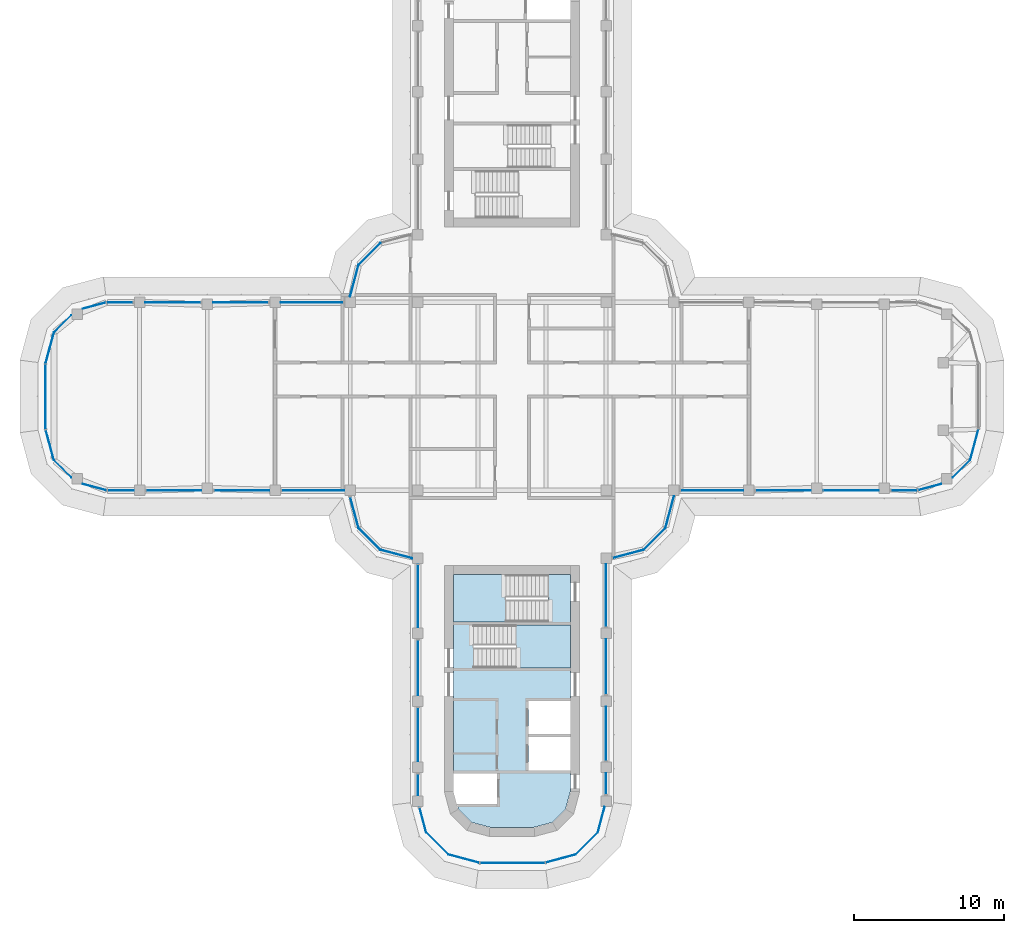
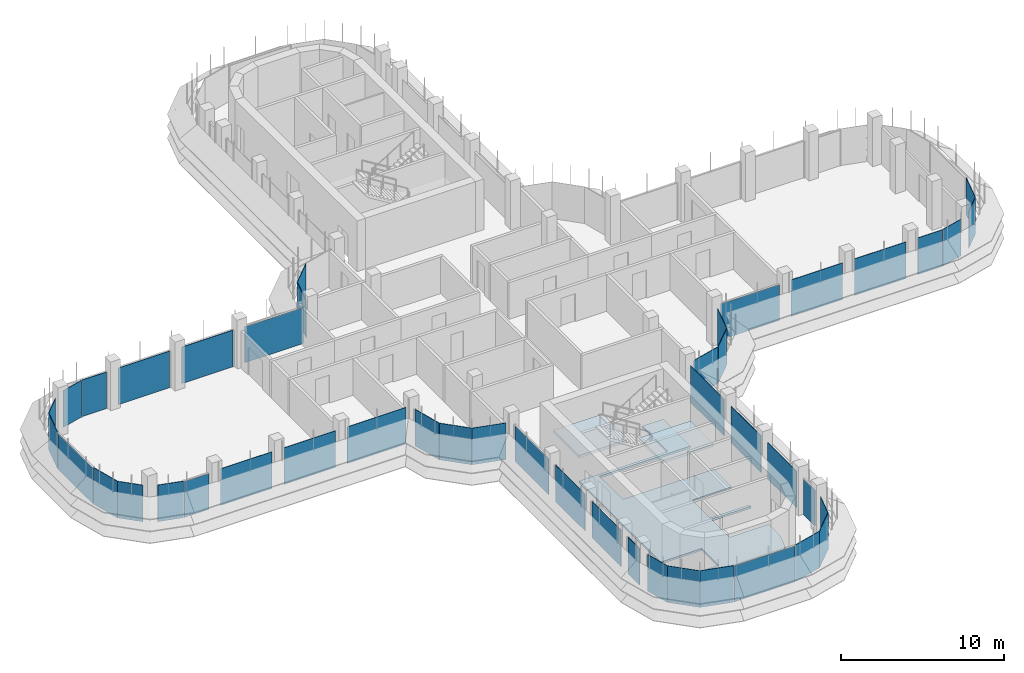
# One storey, part 11 of 18: 45 plates, 3 slabs, 32 elements without a shape of their own.
"""IFC4 building model written with IfcOpenShell, lengths in metres."""

from ifc_helpers import new_model, si_unit, direction, frame, origin, place, context, subcontext, project, spatial, polyline, outline, extrude, source, transform, mapped, material, layer, layer_set, type_object, element, aggregate, save


model = new_model("IFC4")

# Units and contexts
model_context = context("Model", 3, precision=1e-05, world=origin(), true_north=direction((0.0, 1.0)))
body_context = subcontext(model_context, "Body", "Model", "MODEL_VIEW")
ifc_project = project(units=[si_unit("LENGTHUNIT", "METRE"), si_unit("AREAUNIT", "SQUARE_METRE"), si_unit("VOLUMEUNIT", "CUBIC_METRE"), si_unit("PLANEANGLEUNIT", "RADIAN"), si_unit("MASSUNIT", "GRAM", prefix="KILO")], contexts=[model_context])

# Site, building, storey
site_placement = place(None, origin())
site = spatial("IfcSite", under=ifc_project, at=site_placement, CompositionType="ELEMENT")
building_placement = place(site_placement, origin())
building = spatial("IfcBuilding", under=site, at=building_placement, Name="Zarbagh Exchange Tower", CompositionType="ELEMENT")
storey_placement = place(building_placement, frame((0.0, 0.0, 206.800048828125)))
storey = spatial("IfcBuildingStorey", under=building, at=storey_placement, Name="L50", CompositionType="ELEMENT", Elevation=206.800048828125)

# Slab
ifc_material_1 = material(Name="Concrete C40/50", Category="concrete")
ifc_layer_1 = layer(ifc_material_1, 0.14990234375)
ifc_layer_set_1 = layer_set([ifc_layer_1], Name="Core floor slab 150 C40/50")
slab_type_1 = type_object("IfcSlabType", Name="Core floor slab 150 C40/50", PredefinedType="FLOOR", material=ifc_layer_set_1)
slab_1_placement = place(storey_placement, frame((0.0, 0.0, -0.150146484375)))
element("IfcSlab", 1, at=slab_1_placement, inside=storey, type_object=slab_type_1, Name="S17 core S", PredefinedType="FLOOR", context=body_context, shape_type="SweptSolid", body=[
    extrude(outline(polyline([(-2.689453125, -28.31005859375), (-3.56005859375, -27.439453125), (-3.651123046875, -27.10009765625), (-1.0, -27.10009765625), (-1.0, -25.050048828125), (-3.89990234375, -25.050048828125), (-3.89990234375, -15.0), (2.39990234375, -15.0), (2.39990234375, -11.85009765625), (3.89990234375, -11.85009765625), (3.89990234375, -15.199951171875), (-2.550048828125, -15.199951171875), (-2.550048828125, -18.050048828125), (3.89990234375, -18.050048828125), (3.89990234375, -20.25), (1.10009765625, -20.25), (1.10009765625, -22.449951171875), (3.89990234375, -22.449951171875), (3.89990234375, -22.64990234375), (1.10009765625, -22.64990234375), (1.10009765625, -24.85009765625), (3.89990234375, -24.85009765625), (3.89990234375, -26.1708984375), (3.56005859375, -27.439453125), (2.689453125, -28.31005859375), (1.4208984375, -28.64990234375), (-1.4208984375, -28.64990234375), (-2.689453125, -28.31005859375)])), origin(), (0.0, 0.0, 1.0), 0.150146484375),
])

# Stair, slab
stair_type = type_object("IfcStairType", Name="Exit stair two-flight half-turn", PredefinedType="HALF_TURN_STAIR", material=ifc_material_1)
stair_1_placement = place(storey_placement, origin())
stair_1 = element("IfcStair", 2, at=stair_1_placement, inside=storey, type_object=stair_type, Name="exit stair ST3", PredefinedType="HALF_TURN_STAIR")
ifc_layer_2 = layer(ifc_material_1, 0.199951171875)
ifc_layer_set_2 = layer_set([ifc_layer_2], Name="Stair landing 200 mm")
slab_type_2 = type_object("IfcSlabType", Name="Stair landing 200 mm", PredefinedType="LANDING", material=ifc_layer_set_2)
slab_2_placement = place(storey_placement, frame((0.0, 0.0, 1.699951171875)))
slab_2 = element("IfcSlab", 3, at=slab_2_placement, type_object=slab_type_2, Name="ST3 landing 1", PredefinedType="LANDING", context=body_context, shape_type="SweptSolid", body=[
    extrude(outline(polyline([(0.25, -18.050048828125), (3.89990234375, -18.050048828125), (3.89990234375, -15.199951171875), (0.25, -15.199951171875), (0.25, -18.050048828125)])), origin(), (0.0, 0.0, 1.0), 0.199951171875),
])
aggregate(stair_1, [slab_2])

stair_2_placement = place(storey_placement, origin())
stair_2 = element("IfcStair", 4, at=stair_2_placement, inside=storey, type_object=stair_type, Name="exit stair ST4", PredefinedType="HALF_TURN_STAIR")
slab_3_placement = place(storey_placement, frame((0.0, 0.0, 1.699951171875)))
slab_3 = element("IfcSlab", 5, at=slab_3_placement, type_object=slab_type_2, Name="ST4 landing 1", PredefinedType="LANDING", context=body_context, shape_type="SweptSolid", body=[
    extrude(outline(polyline([(-0.39990234375, -11.85009765625), (-3.89990234375, -11.85009765625), (-3.89990234375, -15.0), (-0.39990234375, -15.0), (-0.39990234375, -11.85009765625)])), origin(), (0.0, 0.0, 1.0), 0.199951171875),
])
aggregate(stair_2, [slab_3])

# Curtain wall, plate
ifc_material_2 = material(Name="Anodised aluminium frame and glazing", Category="aluminium")
curtain_wall_type = type_object("IfcCurtainWallType", Name="CWB Ribbon glazing, upper zones", PredefinedType="NOTDEFINED", material=ifc_material_2)
curtain_wall_1_placement = place(storey_placement, origin())
curtain_wall_1 = element("IfcCurtainWall", 6, at=curtain_wall_1_placement, inside=storey, type_object=curtain_wall_type, Name="CWB50 curtain wall", PredefinedType="NOTDEFINED")
ifc_material_3 = material(Name="Low-e double glazed unit, 6+12+6 mm")
ifc_layer_3 = layer(ifc_material_3, 0.031982421875)
ifc_layer_set_3 = layer_set([ifc_layer_3], Name="PAB Glazing panel, Low-e double glazed unit, 6+12+6 mm")
plate_type = type_object("IfcPlateType", Name="PAB Glazing panel, Low-e double glazed unit, 6+12+6 mm", PredefinedType="CURTAIN_PANEL", material=ifc_layer_set_3)
shared_shape_1 = source(origin(), body_context, "Body", "SweptSolid", [
    extrude(outline(polyline([(0.0, -0.01611328125), (2.061279296875, -0.01611328125), (2.061279296875, 0.01611328125), (0.0, 0.01611328125), (0.0, -0.01611328125)])), origin(), (0.0, 0.0, 1.0), 2.75),
])
placement = place(storey_placement, origin())
plate_1 = element("IfcPlate", 7, at=placement, type_object=plate_type, Name="CWB50 glazing panel 1.1", PredefinedType="CURTAIN_PANEL", context=body_context, shape_type="MappedRepresentation", body=[
    mapped(shared_shape_1, transform((4.2412109375, -30.44873046875, 0.0), x_axis=(0.707106781187, 0.707106781187, 0.0), y_axis=(-0.707106781187, 0.707106781187, 0.0), z_axis=(0.0, 0.0, 1.0))),
])
aggregate(curtain_wall_1, [plate_1])

curtain_wall_2_placement = place(storey_placement, origin())
curtain_wall_2 = element("IfcCurtainWall", 8, at=curtain_wall_2_placement, inside=storey, type_object=curtain_wall_type, Name="CWB06 curtain wall", PredefinedType="NOTDEFINED")
plate_2 = element("IfcPlate", 9, at=placement, type_object=plate_type, Name="CWB06 glazing panel 1.1", PredefinedType="CURTAIN_PANEL", context=body_context, shape_type="MappedRepresentation", body=[
    mapped(shared_shape_1, transform((8.7412109375, -10.19873046875, 0.0), x_axis=(0.707106781187, 0.707106781187, 0.0), y_axis=(-0.707106781187, 0.707106781187, 0.0), z_axis=(0.0, 0.0, 1.0))),
])
aggregate(curtain_wall_2, [plate_2])

curtain_wall_3_placement = place(storey_placement, origin())
curtain_wall_3 = element("IfcCurtainWall", 10, at=curtain_wall_3_placement, inside=storey, type_object=curtain_wall_type, Name="CWB30 curtain wall", PredefinedType="NOTDEFINED")
plate_3 = element("IfcPlate", 11, at=placement, type_object=plate_type, Name="CWB30 glazing panel 1.1", PredefinedType="CURTAIN_PANEL", context=body_context, shape_type="MappedRepresentation", body=[
    mapped(shared_shape_1, transform((-8.7412109375, 10.19873046875, 0.0), x_axis=(-0.707106781187, -0.707106781187, 0.0), y_axis=(0.707106781187, -0.707106781187, 0.0), z_axis=(0.0, 0.0, 1.0))),
])
aggregate(curtain_wall_3, [plate_3])

curtain_wall_4_placement = place(storey_placement, origin())
curtain_wall_4 = element("IfcCurtainWall", 12, at=curtain_wall_4_placement, inside=storey, type_object=curtain_wall_type, Name="CWB42 curtain wall", PredefinedType="NOTDEFINED")
plate_4 = element("IfcPlate", 13, at=placement, type_object=plate_type, Name="CWB42 glazing panel 1.1", PredefinedType="CURTAIN_PANEL", context=body_context, shape_type="MappedRepresentation", body=[
    mapped(shared_shape_1, transform((-10.19873046875, -8.7412109375, 0.0), x_axis=(0.707106781187, -0.707106781187, 0.0), y_axis=(0.707106781187, 0.707106781187, 0.0), z_axis=(0.0, 0.0, 1.0))),
])
aggregate(curtain_wall_4, [plate_4])

curtain_wall_5_placement = place(storey_placement, origin())
curtain_wall_5 = element("IfcCurtainWall", 14, at=curtain_wall_5_placement, inside=storey, type_object=curtain_wall_type, Name="CWB55 curtain wall", PredefinedType="NOTDEFINED")
plate_5 = element("IfcPlate", 15, at=placement, type_object=plate_type, Name="CWB55 glazing panel 1.1", PredefinedType="CURTAIN_PANEL", context=body_context, shape_type="MappedRepresentation", body=[
    mapped(shared_shape_1, transform((-5.69873046875, -28.9912109375, 0.0), x_axis=(0.707106781187, -0.707106781187, 0.0), y_axis=(0.707106781187, 0.707106781187, 0.0), z_axis=(0.0, 0.0, 1.0))),
])
aggregate(curtain_wall_5, [plate_5])

curtain_wall_6_placement = place(storey_placement, origin())
curtain_wall_6 = element("IfcCurtainWall", 16, at=curtain_wall_6_placement, inside=storey, type_object=curtain_wall_type, Name="CWB11 curtain wall", PredefinedType="NOTDEFINED")
shared_shape_2 = source(origin(), body_context, "Body", "SweptSolid", [
    extrude(outline(polyline([(0.0, -0.01611328125), (2.129638671875, -0.01611328125), (2.129638671875, 0.01611328125), (0.0, 0.01611328125), (0.0, -0.01611328125)])), origin(), (0.0, 0.0, 1.0), 2.75),
])
plate_6 = element("IfcPlate", 17, at=placement, type_object=plate_type, Name="CWB11 glazing panel 1.1", PredefinedType="CURTAIN_PANEL", context=body_context, shape_type="MappedRepresentation", body=[
    mapped(shared_shape_2, transform((30.44873046875, -4.2412109375, 0.0), x_axis=(0.258824779902, 0.965924289636, 0.0), y_axis=(-0.965924289636, 0.258824779902, 0.0), z_axis=(0.0, 0.0, 1.0))),
])
aggregate(curtain_wall_6, [plate_6])

curtain_wall_7_placement = place(storey_placement, origin())
curtain_wall_7 = element("IfcCurtainWall", 18, at=curtain_wall_7_placement, inside=storey, type_object=curtain_wall_type, Name="CWB61 curtain wall", PredefinedType="NOTDEFINED")
plate_7 = element("IfcPlate", 19, at=placement, type_object=plate_type, Name="CWB61 glazing panel 1.1", PredefinedType="CURTAIN_PANEL", context=body_context, shape_type="MappedRepresentation", body=[
    mapped(shared_shape_2, transform((-30.44873046875, 4.2412109375, 0.0), x_axis=(-0.258824779902, -0.965924289636, 0.0), y_axis=(0.965924289636, -0.258824779902, 0.0), z_axis=(0.0, 0.0, 1.0))),
])
aggregate(curtain_wall_7, [plate_7])

curtain_wall_8_placement = place(storey_placement, origin())
curtain_wall_8 = element("IfcCurtainWall", 20, at=curtain_wall_8_placement, inside=storey, type_object=curtain_wall_type, Name="CWB56 curtain wall", PredefinedType="NOTDEFINED")
plate_8 = element("IfcPlate", 21, at=placement, type_object=plate_type, Name="CWB56 glazing panel 1.1", PredefinedType="CURTAIN_PANEL", context=body_context, shape_type="MappedRepresentation", body=[
    mapped(shared_shape_2, transform((-4.2412109375, -30.44873046875, 0.0), x_axis=(0.965924289636, -0.258824779902, 0.0), y_axis=(0.258824779902, 0.965924289636, 0.0), z_axis=(0.0, 0.0, 1.0))),
])
aggregate(curtain_wall_8, [plate_8])

curtain_wall_9_placement = place(storey_placement, origin())
curtain_wall_9 = element("IfcCurtainWall", 22, at=curtain_wall_9_placement, inside=storey, type_object=curtain_wall_type, Name="CWB52 curtain wall", PredefinedType="NOTDEFINED")
shared_shape_3 = source(origin(), body_context, "Body", "SweptSolid", [
    extrude(outline(polyline([(0.0, -0.01611328125), (3.56005859375, -0.01611328125), (3.56005859375, 0.01611328125), (0.0, 0.01611328125), (0.0, -0.01611328125)])), origin(), (0.0, 0.0, 1.0), 2.75),
])
plate_9 = element("IfcPlate", 23, at=placement, type_object=plate_type, Name="CWB52 glazing panel 2.1", PredefinedType="CURTAIN_PANEL", context=body_context, shape_type="MappedRepresentation", body=[
    mapped(shared_shape_3, transform((6.25, -24.199951171875, 0.0), x_axis=(0.0, 1.0, 0.0), y_axis=(-1.0, 0.0, 0.0), z_axis=(0.0, 0.0, 1.0))),
])

curtain_wall_10_placement = place(storey_placement, origin())
curtain_wall_10 = element("IfcCurtainWall", 24, at=curtain_wall_10_placement, inside=storey, type_object=curtain_wall_type, Name="CWB53 curtain wall", PredefinedType="NOTDEFINED")
plate_10 = element("IfcPlate", 25, at=placement, type_object=plate_type, Name="CWB53 glazing panel 3.1", PredefinedType="CURTAIN_PANEL", context=body_context, shape_type="MappedRepresentation", body=[
    mapped(shared_shape_3, transform((-6.25, -20.699951171875, 0.0), x_axis=(0.0, -1.0, 0.0), y_axis=(1.0, 0.0, 0.0), z_axis=(0.0, 0.0, 1.0))),
])

curtain_wall_11_placement = place(storey_placement, origin())
curtain_wall_11 = element("IfcCurtainWall", 26, at=curtain_wall_11_placement, inside=storey, type_object=curtain_wall_type, Name="CWB66 curtain wall", PredefinedType="NOTDEFINED")
shared_shape_4 = source(origin(), body_context, "Body", "SweptSolid", [
    extrude(outline(polyline([(0.0, -0.01611328125), (4.308349609375, -0.01611328125), (4.308349609375, 0.01611328125), (0.0, 0.01611328125), (0.0, -0.01611328125)])), origin(), (0.0, 0.0, 1.0), 2.68994140625),
])
plate_11 = element("IfcPlate", 27, at=placement, type_object=plate_type, Name="CWB66 glazing panel 1.1", PredefinedType="CURTAIN_PANEL", context=body_context, shape_type="MappedRepresentation", body=[
    mapped(shared_shape_4, transform((-31.0, 2.124267578125, 0.0), x_axis=(0.0, -1.0, 0.0), y_axis=(1.0, 0.0, 0.0), z_axis=(0.0, 0.0, 1.0))),
])
aggregate(curtain_wall_11, [plate_11])

curtain_wall_12_placement = place(storey_placement, origin())
curtain_wall_12 = element("IfcCurtainWall", 28, at=curtain_wall_12_placement, inside=storey, type_object=curtain_wall_type, Name="CWB57 curtain wall", PredefinedType="NOTDEFINED")
plate_12 = element("IfcPlate", 29, at=placement, type_object=plate_type, Name="CWB57 glazing panel 1.1", PredefinedType="CURTAIN_PANEL", context=body_context, shape_type="MappedRepresentation", body=[
    mapped(shared_shape_4, transform((-2.124267578125, -31.0, 0.0), x_axis=(1.0, 0.0, 0.0), y_axis=(0.0, 1.0, 0.0), z_axis=(0.0, 0.0, 1.0))),
])
aggregate(curtain_wall_12, [plate_12])

curtain_wall_13_placement = place(storey_placement, origin())
curtain_wall_13 = element("IfcCurtainWall", 30, at=curtain_wall_13_placement, inside=storey, type_object=curtain_wall_type, Name="CWB49 curtain wall", PredefinedType="NOTDEFINED")
shared_shape_5 = source(origin(), body_context, "Body", "SweptSolid", [
    extrude(outline(polyline([(0.0, -0.01611328125), (2.069580078125, -0.01611328125), (2.069580078125, 0.01611328125), (0.0, 0.01611328125), (0.0, -0.01611328125)])), origin(), (0.0, 0.0, 1.0), 2.75),
])
plate_13 = element("IfcPlate", 31, at=placement, type_object=plate_type, Name="CWB49 glazing panel 1.1", PredefinedType="CURTAIN_PANEL", context=body_context, shape_type="MappedRepresentation", body=[
    mapped(shared_shape_5, transform((2.2421875, -30.984375, 0.0), x_axis=(0.965924289636, 0.258824779902, 0.0), y_axis=(-0.258824779902, 0.965924289636, 0.0), z_axis=(0.0, 0.0, 1.0))),
])
aggregate(curtain_wall_13, [plate_13])

curtain_wall_14_placement = place(storey_placement, origin())
curtain_wall_14 = element("IfcCurtainWall", 32, at=curtain_wall_14_placement, inside=storey, type_object=curtain_wall_type, Name="CWB62 curtain wall", PredefinedType="NOTDEFINED")
plate_14 = element("IfcPlate", 33, at=placement, type_object=plate_type, Name="CWB62 glazing panel 1.1", PredefinedType="CURTAIN_PANEL", context=body_context, shape_type="MappedRepresentation", body=[
    mapped(shared_shape_5, transform((-30.984375, -2.2421875, 0.0), x_axis=(0.258824779902, -0.965924289636, 0.0), y_axis=(0.965924289636, 0.258824779902, 0.0), z_axis=(0.0, 0.0, 1.0))),
])
aggregate(curtain_wall_14, [plate_14])

curtain_wall_15_placement = place(storey_placement, origin())
curtain_wall_15 = element("IfcCurtainWall", 34, at=curtain_wall_15_placement, inside=storey, type_object=curtain_wall_type, Name="CWB51 curtain wall", PredefinedType="NOTDEFINED")
shared_shape_6 = source(origin(), body_context, "Body", "SweptSolid", [
    extrude(outline(polyline([(0.0, -0.01611328125), (1.76123046875, -0.01611328125), (1.76123046875, 0.01611328125), (0.0, 0.01611328125), (0.0, -0.01611328125)])), origin(), (0.0, 0.0, 1.0), 2.75),
])
plate_15 = element("IfcPlate", 35, at=placement, type_object=plate_type, Name="CWB51 glazing panel 1.1", PredefinedType="CURTAIN_PANEL", context=body_context, shape_type="MappedRepresentation", body=[
    mapped(shared_shape_6, transform((5.69873046875, -28.9912109375, 0.0), x_axis=(0.258824779902, 0.965924289636, 0.0), y_axis=(-0.965924289636, 0.258824779902, 0.0), z_axis=(0.0, 0.0, 1.0))),
])
aggregate(curtain_wall_15, [plate_15])

# Plate
shared_shape_7 = source(origin(), body_context, "Body", "SweptSolid", [
    extrude(outline(polyline([(0.0, -0.01611328125), (1.409912109375, -0.01611328125), (1.409912109375, 0.01611328125), (0.0, 0.01611328125), (0.0, -0.01611328125)])), origin(), (0.0, 0.0, 1.0), 2.68994140625),
])
plate_16 = element("IfcPlate", 36, at=placement, type_object=plate_type, Name="CWB52 glazing panel 1.1", PredefinedType="CURTAIN_PANEL", context=body_context, shape_type="MappedRepresentation", body=[
    mapped(shared_shape_7, transform((6.25, -26.449951171875, 0.0), x_axis=(0.0, 1.0, 0.0), y_axis=(-1.0, 0.0, 0.0), z_axis=(0.0, 0.0, 1.0))),
])

shared_shape_8 = source(origin(), body_context, "Body", "SweptSolid", [
    extrude(outline(polyline([(0.0, -0.01611328125), (3.659912109375, -0.01611328125), (3.659912109375, 0.01611328125), (0.0, 0.01611328125), (0.0, -0.01611328125)])), origin(), (0.0, 0.0, 1.0), 2.75),
])
plate_17 = element("IfcPlate", 37, at=placement, type_object=plate_type, Name="CWB52 glazing panel 3.1", PredefinedType="CURTAIN_PANEL", context=body_context, shape_type="MappedRepresentation", body=[
    mapped(shared_shape_8, transform((6.25, -19.800048828125, 0.0), x_axis=(0.0, 1.0, 0.0), y_axis=(-1.0, 0.0, 0.0), z_axis=(0.0, 0.0, 1.0))),
])

# Curtain wall, plates
curtain_wall_16_placement = place(storey_placement, origin())
curtain_wall_16 = element("IfcCurtainWall", 38, at=curtain_wall_16_placement, inside=storey, type_object=curtain_wall_type, Name="CWB08 curtain wall", PredefinedType="NOTDEFINED")
plate_18 = element("IfcPlate", 39, at=placement, type_object=plate_type, Name="CWB08 glazing panel 2.1", PredefinedType="CURTAIN_PANEL", context=body_context, shape_type="MappedRepresentation", body=[
    mapped(shared_shape_8, transform((16.199951171875, -6.25, 0.0), x_axis=(1.0, 0.0, 0.0), y_axis=(0.0, 1.0, 0.0), z_axis=(0.0, 0.0, 1.0))),
])
plate_19 = element("IfcPlate", 40, at=placement, type_object=plate_type, Name="CWB08 glazing panel 3.1", PredefinedType="CURTAIN_PANEL", context=body_context, shape_type="MappedRepresentation", body=[
    mapped(shared_shape_8, transform((20.699951171875, -6.25, 0.0), x_axis=(1.0, 0.0, 0.0), y_axis=(0.0, 1.0, 0.0), z_axis=(0.0, 0.0, 1.0))),
])

curtain_wall_17_placement = place(storey_placement, origin())
curtain_wall_17 = element("IfcCurtainWall", 41, at=curtain_wall_17_placement, inside=storey, type_object=curtain_wall_type, Name="CWB58 curtain wall", PredefinedType="NOTDEFINED")
plate_20 = element("IfcPlate", 42, at=placement, type_object=plate_type, Name="CWB58 glazing panel 2.1", PredefinedType="CURTAIN_PANEL", context=body_context, shape_type="MappedRepresentation", body=[
    mapped(shared_shape_8, transform((-16.199951171875, 6.25, 0.0), x_axis=(-1.0, 0.0, 0.0), y_axis=(0.0, -1.0, 0.0), z_axis=(0.0, 0.0, 1.0))),
])
plate_21 = element("IfcPlate", 43, at=placement, type_object=plate_type, Name="CWB58 glazing panel 3.1", PredefinedType="CURTAIN_PANEL", context=body_context, shape_type="MappedRepresentation", body=[
    mapped(shared_shape_8, transform((-20.699951171875, 6.25, 0.0), x_axis=(-1.0, 0.0, 0.0), y_axis=(0.0, -1.0, 0.0), z_axis=(0.0, 0.0, 1.0))),
])

curtain_wall_18_placement = place(storey_placement, origin())
curtain_wall_18 = element("IfcCurtainWall", 44, at=curtain_wall_18_placement, inside=storey, type_object=curtain_wall_type, Name="CWB65 curtain wall", PredefinedType="NOTDEFINED")
plate_22 = element("IfcPlate", 45, at=placement, type_object=plate_type, Name="CWB65 glazing panel 2.1", PredefinedType="CURTAIN_PANEL", context=body_context, shape_type="MappedRepresentation", body=[
    mapped(shared_shape_8, transform((-24.300048828125, -6.25, 0.0), x_axis=(1.0, 0.0, 0.0), y_axis=(0.0, 1.0, 0.0), z_axis=(0.0, 0.0, 1.0))),
])
plate_23 = element("IfcPlate", 46, at=placement, type_object=plate_type, Name="CWB65 glazing panel 3.1", PredefinedType="CURTAIN_PANEL", context=body_context, shape_type="MappedRepresentation", body=[
    mapped(shared_shape_8, transform((-19.800048828125, -6.25, 0.0), x_axis=(1.0, 0.0, 0.0), y_axis=(0.0, 1.0, 0.0), z_axis=(0.0, 0.0, 1.0))),
])

# Plate
plate_24 = element("IfcPlate", 47, at=placement, type_object=plate_type, Name="CWB53 glazing panel 2.1", PredefinedType="CURTAIN_PANEL", context=body_context, shape_type="MappedRepresentation", body=[
    mapped(shared_shape_8, transform((-6.25, -16.199951171875, 0.0), x_axis=(0.0, -1.0, 0.0), y_axis=(1.0, 0.0, 0.0), z_axis=(0.0, 0.0, 1.0))),
])

shared_shape_9 = source(origin(), body_context, "Body", "SweptSolid", [
    extrude(outline(polyline([(0.0, -0.01611328125), (4.159912109375, -0.01611328125), (4.159912109375, 0.01611328125), (0.0, 0.01611328125), (0.0, -0.01611328125)])), origin(), (0.0, 0.0, 1.0), 2.75),
])
plate_25 = element("IfcPlate", 48, at=placement, type_object=plate_type, Name="CWB52 glazing panel 4.1", PredefinedType="CURTAIN_PANEL", context=body_context, shape_type="MappedRepresentation", body=[
    mapped(shared_shape_9, transform((6.25, -15.300048828125, 0.0), x_axis=(0.0, 1.0, 0.0), y_axis=(-1.0, 0.0, 0.0), z_axis=(0.0, 0.0, 1.0))),
])

aggregate(curtain_wall_9, [plate_16, plate_9, plate_17, plate_25])

plate_26 = element("IfcPlate", 49, at=placement, type_object=plate_type, Name="CWB65 glazing panel 4.1", PredefinedType="CURTAIN_PANEL", context=body_context, shape_type="MappedRepresentation", body=[
    mapped(shared_shape_9, transform((-15.300048828125, -6.25, 0.0), x_axis=(1.0, 0.0, 0.0), y_axis=(0.0, 1.0, 0.0), z_axis=(0.0, 0.0, 1.0))),
])

# Curtain wall, plate
curtain_wall_19_placement = place(storey_placement, origin())
curtain_wall_19 = element("IfcCurtainWall", 50, at=curtain_wall_19_placement, inside=storey, type_object=curtain_wall_type, Name="CWB05 curtain wall", PredefinedType="NOTDEFINED")
shared_shape_10 = source(origin(), body_context, "Body", "SweptSolid", [
    extrude(outline(polyline([(0.0, -0.01611328125), (2.115234375, -0.01611328125), (2.115234375, 0.01611328125), (0.0, 0.01611328125), (0.0, -0.01611328125)])), origin(), (0.0, 0.0, 1.0), 2.75),
])
plate_27 = element("IfcPlate", 51, at=placement, type_object=plate_type, Name="CWB05 glazing panel 1.1", PredefinedType="CURTAIN_PANEL", context=body_context, shape_type="MappedRepresentation", body=[
    mapped(shared_shape_10, transform((6.697998046875, -10.746337890625, 0.0), x_axis=(0.965924289636, 0.258824779902, 0.0), y_axis=(-0.258824779902, 0.965924289636, 0.0), z_axis=(0.0, 0.0, 1.0))),
])
aggregate(curtain_wall_19, [plate_27])

curtain_wall_20_placement = place(storey_placement, origin())
curtain_wall_20 = element("IfcCurtainWall", 52, at=curtain_wall_20_placement, inside=storey, type_object=curtain_wall_type, Name="CWB41 curtain wall", PredefinedType="NOTDEFINED")
plate_28 = element("IfcPlate", 53, at=placement, type_object=plate_type, Name="CWB41 glazing panel 1.1", PredefinedType="CURTAIN_PANEL", context=body_context, shape_type="MappedRepresentation", body=[
    mapped(shared_shape_10, transform((-10.746337890625, -6.697998046875, 0.0), x_axis=(0.258824779902, -0.965924289636, 0.0), y_axis=(0.965924289636, 0.258824779902, 0.0), z_axis=(0.0, 0.0, 1.0))),
])
aggregate(curtain_wall_20, [plate_28])

curtain_wall_21_placement = place(storey_placement, origin())
curtain_wall_21 = element("IfcCurtainWall", 54, at=curtain_wall_21_placement, inside=storey, type_object=curtain_wall_type, Name="CWB07 curtain wall", PredefinedType="NOTDEFINED")
shared_shape_11 = source(origin(), body_context, "Body", "SweptSolid", [
    extrude(outline(polyline([(0.0, -0.01611328125), (2.17529296875, -0.01611328125), (2.17529296875, 0.01611328125), (0.0, 0.01611328125), (0.0, -0.01611328125)])), origin(), (0.0, 0.0, 1.0), 2.75),
])
plate_29 = element("IfcPlate", 55, at=placement, type_object=plate_type, Name="CWB07 glazing panel 1.1", PredefinedType="CURTAIN_PANEL", context=body_context, shape_type="MappedRepresentation", body=[
    mapped(shared_shape_11, transform((10.19873046875, -8.7412109375, 0.0), x_axis=(0.258824779902, 0.965924289636, 0.0), y_axis=(-0.965924289636, 0.258824779902, 0.0), z_axis=(0.0, 0.0, 1.0))),
])
aggregate(curtain_wall_21, [plate_29])

curtain_wall_22_placement = place(storey_placement, origin())
curtain_wall_22 = element("IfcCurtainWall", 56, at=curtain_wall_22_placement, inside=storey, type_object=curtain_wall_type, Name="CWB31 curtain wall", PredefinedType="NOTDEFINED")
plate_30 = element("IfcPlate", 57, at=placement, type_object=plate_type, Name="CWB31 glazing panel 1.1", PredefinedType="CURTAIN_PANEL", context=body_context, shape_type="MappedRepresentation", body=[
    mapped(shared_shape_11, transform((-10.19873046875, 8.7412109375, 0.0), x_axis=(-0.258824779902, -0.965924289636, 0.0), y_axis=(0.965924289636, -0.258824779902, 0.0), z_axis=(0.0, 0.0, 1.0))),
])
aggregate(curtain_wall_22, [plate_30])

curtain_wall_23_placement = place(storey_placement, origin())
curtain_wall_23 = element("IfcCurtainWall", 58, at=curtain_wall_23_placement, inside=storey, type_object=curtain_wall_type, Name="CWB43 curtain wall", PredefinedType="NOTDEFINED")
plate_31 = element("IfcPlate", 59, at=placement, type_object=plate_type, Name="CWB43 glazing panel 1.1", PredefinedType="CURTAIN_PANEL", context=body_context, shape_type="MappedRepresentation", body=[
    mapped(shared_shape_11, transform((-8.7412109375, -10.19873046875, 0.0), x_axis=(0.965924289636, -0.258824779902, 0.0), y_axis=(0.258824779902, 0.965924289636, 0.0), z_axis=(0.0, 0.0, 1.0))),
])
aggregate(curtain_wall_23, [plate_31])

# Plate
shared_shape_12 = source(origin(), body_context, "Body", "SweptSolid", [
    extrude(outline(polyline([(0.0, -0.01611328125), (4.159912109375, -0.01611328125), (4.159912109375, 0.01611328125), (0.0, 0.01611328125), (0.0, -0.01611328125)])), origin(), (0.0, 0.0, 1.0), 2.68994140625),
])
plate_32 = element("IfcPlate", 60, at=placement, type_object=plate_type, Name="CWB08 glazing panel 1.1", PredefinedType="CURTAIN_PANEL", context=body_context, shape_type="MappedRepresentation", body=[
    mapped(shared_shape_12, transform((11.199951171875, -6.25, 0.0), x_axis=(1.0, 0.0, 0.0), y_axis=(0.0, 1.0, 0.0), z_axis=(0.0, 0.0, 1.0))),
])

plate_33 = element("IfcPlate", 61, at=placement, type_object=plate_type, Name="CWB58 glazing panel 1.1", PredefinedType="CURTAIN_PANEL", context=body_context, shape_type="MappedRepresentation", body=[
    mapped(shared_shape_12, transform((-11.199951171875, 6.25, 0.0), x_axis=(-1.0, 0.0, 0.0), y_axis=(0.0, -1.0, 0.0), z_axis=(0.0, 0.0, 1.0))),
])

plate_34 = element("IfcPlate", 62, at=placement, type_object=plate_type, Name="CWB53 glazing panel 1.1", PredefinedType="CURTAIN_PANEL", context=body_context, shape_type="MappedRepresentation", body=[
    mapped(shared_shape_12, transform((-6.25, -11.199951171875, 0.0), x_axis=(0.0, -1.0, 0.0), y_axis=(1.0, 0.0, 0.0), z_axis=(0.0, 0.0, 1.0))),
])

shared_shape_13 = source(origin(), body_context, "Body", "SweptSolid", [
    extrude(outline(polyline([(0.0, -0.01611328125), (1.734130859375, -0.01611328125), (1.734130859375, 0.01611328125), (0.0, 0.01611328125), (0.0, -0.01611328125)])), origin(), (0.0, 0.0, 1.0), 2.75),
])
plate_35 = element("IfcPlate", 63, at=placement, type_object=plate_type, Name="CWB08 glazing panel 4.1", PredefinedType="CURTAIN_PANEL", context=body_context, shape_type="MappedRepresentation", body=[
    mapped(shared_shape_13, transform((25.199951171875, -6.25, 0.0), x_axis=(1.0, 0.0, 0.0), y_axis=(0.0, 1.0, 0.0), z_axis=(0.0, 0.0, 1.0))),
])

aggregate(curtain_wall_16, [plate_32, plate_18, plate_19, plate_35])

plate_36 = element("IfcPlate", 64, at=placement, type_object=plate_type, Name="CWB58 glazing panel 4.1", PredefinedType="CURTAIN_PANEL", context=body_context, shape_type="MappedRepresentation", body=[
    mapped(shared_shape_13, transform((-25.199951171875, 6.25, 0.0), x_axis=(-1.0, 0.0, 0.0), y_axis=(0.0, -1.0, 0.0), z_axis=(0.0, 0.0, 1.0))),
])

aggregate(curtain_wall_17, [plate_33, plate_20, plate_21, plate_36])

# Curtain wall, plate
curtain_wall_24_placement = place(storey_placement, origin())
curtain_wall_24 = element("IfcCurtainWall", 65, at=curtain_wall_24_placement, inside=storey, type_object=curtain_wall_type, Name="CWB09 curtain wall", PredefinedType="NOTDEFINED")
shared_shape_14 = source(origin(), body_context, "Body", "SweptSolid", [
    extrude(outline(polyline([(0.0, -0.01611328125), (1.57958984375, -0.01611328125), (1.57958984375, 0.01611328125), (0.0, 0.01611328125), (0.0, -0.01611328125)])), origin(), (0.0, 0.0, 1.0), 2.75),
])
plate_37 = element("IfcPlate", 66, at=placement, type_object=plate_type, Name="CWB09 glazing panel 1.1", PredefinedType="CURTAIN_PANEL", context=body_context, shape_type="MappedRepresentation", body=[
    mapped(shared_shape_14, transform((26.9921875, -6.234375, 0.0), x_axis=(0.965924289636, 0.258824779902, 0.0), y_axis=(-0.258824779902, 0.965924289636, 0.0), z_axis=(0.0, 0.0, 1.0))),
])
aggregate(curtain_wall_24, [plate_37])

curtain_wall_25_placement = place(storey_placement, origin())
curtain_wall_25 = element("IfcCurtainWall", 67, at=curtain_wall_25_placement, inside=storey, type_object=curtain_wall_type, Name="CWB59 curtain wall", PredefinedType="NOTDEFINED")
plate_38 = element("IfcPlate", 68, at=placement, type_object=plate_type, Name="CWB59 glazing panel 1.1", PredefinedType="CURTAIN_PANEL", context=body_context, shape_type="MappedRepresentation", body=[
    mapped(shared_shape_14, transform((-26.9921875, 6.234375, 0.0), x_axis=(-0.965924289636, -0.258824779902, 0.0), y_axis=(0.258824779902, -0.965924289636, 0.0), z_axis=(0.0, 0.0, 1.0))),
])
aggregate(curtain_wall_25, [plate_38])

curtain_wall_26_placement = place(storey_placement, origin())
curtain_wall_26 = element("IfcCurtainWall", 69, at=curtain_wall_26_placement, inside=storey, type_object=curtain_wall_type, Name="CWB10 curtain wall", PredefinedType="NOTDEFINED")
shared_shape_15 = source(origin(), body_context, "Body", "SweptSolid", [
    extrude(outline(polyline([(0.0, -0.01611328125), (1.62744140625, -0.01611328125), (1.62744140625, 0.01611328125), (0.0, 0.01611328125), (0.0, -0.01611328125)])), origin(), (0.0, 0.0, 1.0), 2.75),
])
plate_39 = element("IfcPlate", 70, at=placement, type_object=plate_type, Name="CWB10 glazing panel 1.1", PredefinedType="CURTAIN_PANEL", context=body_context, shape_type="MappedRepresentation", body=[
    mapped(shared_shape_15, transform((29.298095703125, -5.39208984375, 0.0), x_axis=(0.707106781187, 0.707106781187, 0.0), y_axis=(-0.707106781187, 0.707106781187, 0.0), z_axis=(0.0, 0.0, 1.0))),
])
aggregate(curtain_wall_26, [plate_39])

curtain_wall_27_placement = place(storey_placement, origin())
curtain_wall_27 = element("IfcCurtainWall", 71, at=curtain_wall_27_placement, inside=storey, type_object=curtain_wall_type, Name="CWB60 curtain wall", PredefinedType="NOTDEFINED")
plate_40 = element("IfcPlate", 72, at=placement, type_object=plate_type, Name="CWB60 glazing panel 1.1", PredefinedType="CURTAIN_PANEL", context=body_context, shape_type="MappedRepresentation", body=[
    mapped(shared_shape_15, transform((-29.298095703125, 5.39208984375, 0.0), x_axis=(-0.707106781187, -0.707106781187, 0.0), y_axis=(0.707106781187, -0.707106781187, 0.0), z_axis=(0.0, 0.0, 1.0))),
])
aggregate(curtain_wall_27, [plate_40])

curtain_wall_28_placement = place(storey_placement, origin())
curtain_wall_28 = element("IfcCurtainWall", 73, at=curtain_wall_28_placement, inside=storey, type_object=curtain_wall_type, Name="CWB63 curtain wall", PredefinedType="NOTDEFINED")
plate_41 = element("IfcPlate", 74, at=placement, type_object=plate_type, Name="CWB63 glazing panel 1.1", PredefinedType="CURTAIN_PANEL", context=body_context, shape_type="MappedRepresentation", body=[
    mapped(shared_shape_15, transform((-30.44873046875, -4.2412109375, 0.0), x_axis=(0.707106781187, -0.707106781187, 0.0), y_axis=(0.707106781187, 0.707106781187, 0.0), z_axis=(0.0, 0.0, 1.0))),
])
aggregate(curtain_wall_28, [plate_41])

curtain_wall_29_placement = place(storey_placement, origin())
curtain_wall_29 = element("IfcCurtainWall", 75, at=curtain_wall_29_placement, inside=storey, type_object=curtain_wall_type, Name="CWB64 curtain wall", PredefinedType="NOTDEFINED")
shared_shape_16 = source(origin(), body_context, "Body", "SweptSolid", [
    extrude(outline(polyline([(0.0, -0.01611328125), (1.6396484375, -0.01611328125), (1.6396484375, 0.01611328125), (0.0, 0.01611328125), (0.0, -0.01611328125)])), origin(), (0.0, 0.0, 1.0), 2.75),
])
plate_42 = element("IfcPlate", 76, at=placement, type_object=plate_type, Name="CWB64 glazing panel 1.1", PredefinedType="CURTAIN_PANEL", context=body_context, shape_type="MappedRepresentation", body=[
    mapped(shared_shape_16, transform((-28.51806640625, -5.82568359375, 0.0), x_axis=(0.965924289636, -0.258824779902, 0.0), y_axis=(0.258824779902, 0.965924289636, 0.0), z_axis=(0.0, 0.0, 1.0))),
])
aggregate(curtain_wall_29, [plate_42])

# Plate
shared_shape_17 = source(origin(), body_context, "Body", "SweptSolid", [
    extrude(outline(polyline([(0.0, -0.01611328125), (1.734130859375, -0.01611328125), (1.734130859375, 0.01611328125), (0.0, 0.01611328125), (0.0, -0.01611328125)])), origin(), (0.0, 0.0, 1.0), 2.68994140625),
])
plate_43 = element("IfcPlate", 77, at=placement, type_object=plate_type, Name="CWB65 glazing panel 1.1", PredefinedType="CURTAIN_PANEL", context=body_context, shape_type="MappedRepresentation", body=[
    mapped(shared_shape_17, transform((-26.874267578125, -6.25, 0.0), x_axis=(1.0, 0.0, 0.0), y_axis=(0.0, 1.0, 0.0), z_axis=(0.0, 0.0, 1.0))),
])

aggregate(curtain_wall_18, [plate_43, plate_22, plate_23, plate_26])

shared_shape_18 = source(origin(), body_context, "Body", "SweptSolid", [
    extrude(outline(polyline([(0.0, -0.01611328125), (1.409912109375, -0.01611328125), (1.409912109375, 0.01611328125), (0.0, 0.01611328125), (0.0, -0.01611328125)])), origin(), (0.0, 0.0, 1.0), 2.75),
])
plate_44 = element("IfcPlate", 78, at=placement, type_object=plate_type, Name="CWB53 glazing panel 4.1", PredefinedType="CURTAIN_PANEL", context=body_context, shape_type="MappedRepresentation", body=[
    mapped(shared_shape_18, transform((-6.25, -25.10009765625, 0.0), x_axis=(0.0, -1.0, 0.0), y_axis=(1.0, 0.0, 0.0), z_axis=(0.0, 0.0, 1.0))),
])

aggregate(curtain_wall_10, [plate_34, plate_24, plate_10, plate_44])

# Curtain wall, plate
curtain_wall_30_placement = place(storey_placement, origin())
curtain_wall_30 = element("IfcCurtainWall", 79, at=curtain_wall_30_placement, inside=storey, type_object=curtain_wall_type, Name="CWB54 curtain wall", PredefinedType="NOTDEFINED")
shared_shape_19 = source(origin(), body_context, "Body", "SweptSolid", [
    extrude(outline(polyline([(0.0, -0.01611328125), (1.701171875, -0.01611328125), (1.701171875, 0.01611328125), (0.0, 0.01611328125), (0.0, -0.01611328125)])), origin(), (0.0, 0.0, 1.0), 2.75),
])
plate_45 = element("IfcPlate", 80, at=placement, type_object=plate_type, Name="CWB54 glazing panel 1.1", PredefinedType="CURTAIN_PANEL", context=body_context, shape_type="MappedRepresentation", body=[
    mapped(shared_shape_19, transform((-6.13916015625, -27.347900390625, 0.0), x_axis=(0.258824779902, -0.965924289636, 0.0), y_axis=(0.965924289636, 0.258824779902, 0.0), z_axis=(0.0, 0.0, 1.0))),
])
aggregate(curtain_wall_30, [plate_45])

save(model, "model.ifc")
